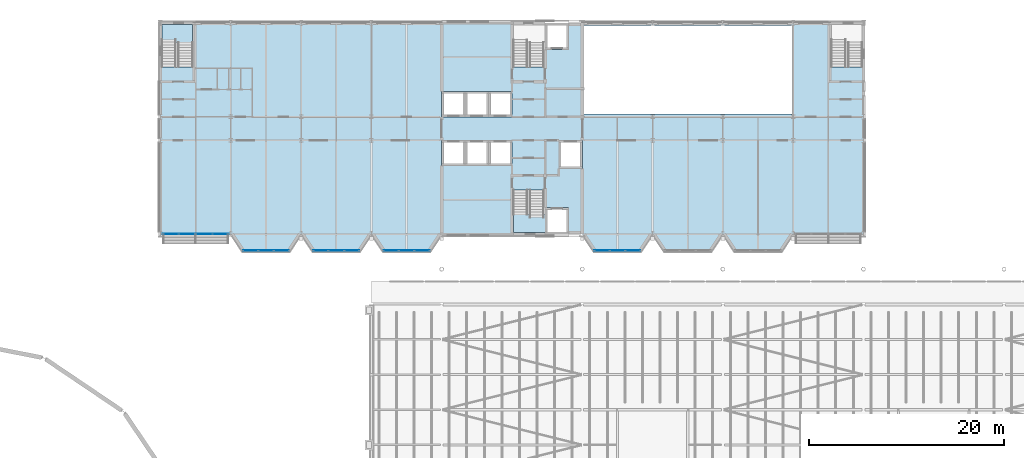
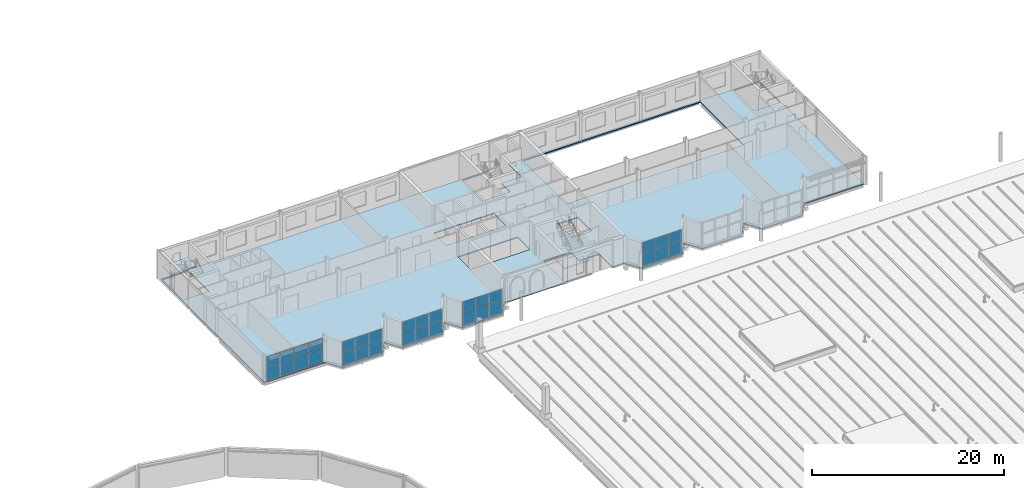
# One storey, part 58 of 120: 32 plates, 3 slabs, 7 elements without a shape of their own.
"""IFC4 building model written with IfcOpenShell, lengths in metres."""

from ifc_helpers import new_model, si_unit, direction, frame, origin, origin_2d, place, context, subcontext, project, spatial, polyline, rectangle, outline, extrude, material, layer, layer_set, type_object, element, aggregate, save


model = new_model("IFC4")

# Units and contexts
model_context = context("Model", 3, precision=1e-05, world=origin(), true_north=direction((0.0, 1.0)))
body_context = subcontext(model_context, "Body", "Model", "MODEL_VIEW")
ifc_project = project(units=[si_unit("LENGTHUNIT", "METRE"), si_unit("AREAUNIT", "SQUARE_METRE"), si_unit("VOLUMEUNIT", "CUBIC_METRE"), si_unit("PLANEANGLEUNIT", "RADIAN"), si_unit("MASSUNIT", "GRAM", prefix="KILO")], contexts=[model_context])

# Site, building, storey
site_placement = place(None, origin())
site = spatial("IfcSite", under=ifc_project, at=site_placement, CompositionType="ELEMENT")
building_placement = place(site_placement, origin())
building = spatial("IfcBuilding", under=site, at=building_placement, Name="Kupolbacken Congress Centre", CompositionType="ELEMENT")
storey_placement = place(building_placement, frame((0.0, 0.0, 21.60009765625)))
storey = spatial("IfcBuildingStorey", under=building, at=storey_placement, Name="L06", CompositionType="ELEMENT", Elevation=21.60009765625)

# Slab
ifc_material_1 = material(Name="Concrete C30/37", Category="concrete")
ifc_layer_1 = layer(ifc_material_1, 0.080078125)
ifc_material_2 = material(Name="Steel S350 profiled deck", Category="steel")
ifc_layer_2 = layer(ifc_material_2, 0.06005859375)
ifc_layer_set_1 = layer_set([ifc_layer_1, ifc_layer_2], Name="Concrete C30/37 / Steel S350 profiled deck")
slab_type_1 = type_object("IfcSlabType", Name="FS1 slab 140", PredefinedType="FLOOR", material=ifc_layer_set_1)
slab_1_placement = place(storey_placement, frame((0.0, 0.0, -0.14013671875)))
element("IfcSlab", 1, at=slab_1_placement, inside=storey, type_object=slab_type_1, Name="S/floor/T/L06/slab/slab", PredefinedType="FLOOR", context=body_context, shape_type="SweptSolid", body=[
    extrude(outline(polyline([(114.000244140625, 120.6005859375), (115.199951171875, 122.39990234375), (116.399658203125, 120.6005859375), (121.2001953125, 120.6005859375), (122.39990234375, 122.39990234375), (123.599609375, 120.6005859375), (128.400390625, 120.6005859375), (129.599609375, 122.3994140625), (129.599609375, 122.400390625), (136.799560546875, 122.400390625), (136.799560546875, 143.99951171875), (106.6005859375, 143.99951171875), (106.6005859375, 141.299560546875), (104.200439453125, 141.299560546875), (104.200439453125, 139.509521484375), (100.974609375, 139.509521484375), (100.974609375, 143.825439453125), (104.199462890625, 143.825439453125), (104.199462890625, 143.99951171875), (64.800537109375, 143.99951171875), (64.800537109375, 122.400390625), (72.00048828125, 122.400390625), (72.00048828125, 122.399169921875), (73.19970703125, 120.6005859375), (78.000244140625, 120.6005859375), (79.199951171875, 122.39990234375), (80.399658203125, 120.6005859375), (85.2001953125, 120.6005859375), (86.39990234375, 122.39990234375), (87.599609375, 120.6005859375), (92.400390625, 120.6005859375), (93.599609375, 122.3994140625), (93.599609375, 122.400390625), (104.199462890625, 122.400390625), (104.199462890625, 122.574462890625), (100.974609375, 122.574462890625), (100.974609375, 126.890380859375), (104.200439453125, 126.890380859375), (104.200439453125, 125.1005859375), (106.6005859375, 125.1005859375), (106.6005859375, 122.400390625), (108.00048828125, 122.400390625), (108.00048828125, 122.399169921875), (109.19970703125, 120.6005859375), (114.000244140625, 120.6005859375)]), holes=[polyline([(136.650390625, 139.534423828125), (133.549560546875, 139.534423828125), (133.549560546875, 143.8505859375), (136.650390625, 143.8505859375), (136.650390625, 139.534423828125)]), polyline([(129.530517578125, 143.75048828125), (129.530517578125, 134.699462890625), (108.199462890625, 134.699462890625), (108.199462890625, 143.75048828125), (129.530517578125, 143.75048828125)]), polyline([(108.00048828125, 129.099609375), (105.599609375, 129.099609375), (105.599609375, 132.00048828125), (108.00048828125, 132.00048828125), (108.00048828125, 129.099609375)]), polyline([(93.599609375, 132.00048828125), (100.800537109375, 132.00048828125), (100.800537109375, 129.3994140625), (93.599609375, 129.3994140625), (93.599609375, 132.00048828125)]), polyline([(93.599609375, 137.00048828125), (100.800537109375, 137.00048828125), (100.800537109375, 134.3994140625), (93.599609375, 134.3994140625), (93.599609375, 137.00048828125)]), polyline([(68.050537109375, 139.534423828125), (64.949462890625, 139.534423828125), (64.949462890625, 143.8505859375), (68.050537109375, 143.8505859375), (68.050537109375, 139.534423828125)])]), origin(), (0.0, 0.0, 1.0), 0.14013671875),
])

# Curtain wall, plates
ifc_material_3 = material(Name="Aluminium mullion-transom frame with glass", Category="aluminium")
curtain_wall_type = type_object("IfcCurtainWallType", Name="CW1 curtain wall 7200x3600", PredefinedType="NOTDEFINED", material=ifc_material_3)
curtain_wall_1_placement = place(storey_placement, origin())
curtain_wall_1 = element("IfcCurtainWall", 2, at=curtain_wall_1_placement, inside=storey, type_object=curtain_wall_type, Name="E/T/S/L06/093/g0", PredefinedType="NOTDEFINED")
ifc_material_4 = material(Name="Glass", Category="glass")
ifc_layer_3 = layer(ifc_material_4, 0.035888671875)
ifc_layer_set_2 = layer_set([ifc_layer_3], Name="Glass")
plate_type = type_object("IfcPlateType", Name="GL2 glass panel 36", PredefinedType="CURTAIN_PANEL", material=ifc_layer_set_2)
plate_1_placement = place(storey_placement, frame((65.824462890625, 122.39990234375, 0.0498046875), z_axis=(0.0, 0.0, 1.0), x_axis=(1.0, 0.0, 0.0)))
plate_1 = element("IfcPlate", 3, at=plate_1_placement, type_object=plate_type, Name="CW1 panel 1.1", PredefinedType="CURTAIN_PANEL", context=body_context, shape_type="SweptSolid", body=[
    extrude(rectangle(XDim=1.649169921875, YDim=0.035888671875, at=origin_2d()), origin(), (0.0, 0.0, 1.0), 1.72509765625),
])
plate_2_placement = place(storey_placement, frame((65.824462890625, 122.39990234375, 1.82470703125), z_axis=(0.0, 0.0, 1.0), x_axis=(1.0, 0.0, 0.0)))
plate_2 = element("IfcPlate", 4, at=plate_2_placement, type_object=plate_type, Name="CW1 panel 1.2", PredefinedType="CURTAIN_PANEL", context=body_context, shape_type="SweptSolid", body=[
    extrude(rectangle(XDim=1.649169921875, YDim=0.035888671875, at=origin_2d()), origin(), (0.0, 0.0, 1.0), 1.284912109375),
])
plate_3_placement = place(storey_placement, frame((67.5361328125, 122.39990234375, 0.0498046875), z_axis=(0.0, 0.0, 1.0), x_axis=(1.0, 0.0, 0.0)))
plate_3 = element("IfcPlate", 5, at=plate_3_placement, type_object=plate_type, Name="CW1 panel 2.1", PredefinedType="CURTAIN_PANEL", context=body_context, shape_type="SweptSolid", body=[
    extrude(rectangle(XDim=1.674072265625, YDim=0.035888671875, at=origin_2d()), origin(), (0.0, 0.0, 1.0), 1.72509765625),
])
plate_4_placement = place(storey_placement, frame((67.5361328125, 122.39990234375, 1.82470703125), z_axis=(0.0, 0.0, 1.0), x_axis=(1.0, 0.0, 0.0)))
plate_4 = element("IfcPlate", 6, at=plate_4_placement, type_object=plate_type, Name="CW1 panel 2.2", PredefinedType="CURTAIN_PANEL", context=body_context, shape_type="SweptSolid", body=[
    extrude(rectangle(XDim=1.674072265625, YDim=0.035888671875, at=origin_2d()), origin(), (0.0, 0.0, 1.0), 1.284912109375),
])
plate_5_placement = place(storey_placement, frame((69.26025390625, 122.39990234375, 0.0498046875), z_axis=(0.0, 0.0, 1.0), x_axis=(1.0, 0.0, 0.0)))
plate_5 = element("IfcPlate", 7, at=plate_5_placement, type_object=plate_type, Name="CW1 panel 3.1", PredefinedType="CURTAIN_PANEL", context=body_context, shape_type="SweptSolid", body=[
    extrude(rectangle(XDim=1.674072265625, YDim=0.035888671875, at=origin_2d()), origin(), (0.0, 0.0, 1.0), 1.72509765625),
])
plate_6_placement = place(storey_placement, frame((69.26025390625, 122.39990234375, 1.82470703125), z_axis=(0.0, 0.0, 1.0), x_axis=(1.0, 0.0, 0.0)))
plate_6 = element("IfcPlate", 8, at=plate_6_placement, type_object=plate_type, Name="CW1 panel 3.2", PredefinedType="CURTAIN_PANEL", context=body_context, shape_type="SweptSolid", body=[
    extrude(rectangle(XDim=1.674072265625, YDim=0.035888671875, at=origin_2d()), origin(), (0.0, 0.0, 1.0), 1.284912109375),
])
plate_7_placement = place(storey_placement, frame((70.971923828125, 122.39990234375, 0.0498046875), z_axis=(0.0, 0.0, 1.0), x_axis=(1.0, 0.0, 0.0)))
plate_7 = element("IfcPlate", 9, at=plate_7_placement, type_object=plate_type, Name="CW1 panel 4.1", PredefinedType="CURTAIN_PANEL", context=body_context, shape_type="SweptSolid", body=[
    extrude(rectangle(XDim=1.649169921875, YDim=0.035888671875, at=origin_2d()), origin(), (0.0, 0.0, 1.0), 1.72509765625),
])
plate_8_placement = place(storey_placement, frame((70.971923828125, 122.39990234375, 1.82470703125), z_axis=(0.0, 0.0, 1.0), x_axis=(1.0, 0.0, 0.0)))
plate_8 = element("IfcPlate", 10, at=plate_8_placement, type_object=plate_type, Name="CW1 panel 4.2", PredefinedType="CURTAIN_PANEL", context=body_context, shape_type="SweptSolid", body=[
    extrude(rectangle(XDim=1.649169921875, YDim=0.035888671875, at=origin_2d()), origin(), (0.0, 0.0, 1.0), 1.284912109375),
])
aggregate(curtain_wall_1, [plate_1, plate_2, plate_3, plate_4, plate_5, plate_6, plate_7, plate_8])

curtain_wall_2_placement = place(storey_placement, origin())
curtain_wall_2 = element("IfcCurtainWall", 11, at=curtain_wall_2_placement, inside=storey, type_object=curtain_wall_type, Name="E/T/cumba/L06/S/002/cw", PredefinedType="NOTDEFINED")
plate_9_placement = place(storey_placement, frame((74.012451171875, 120.699951171875, 0.0498046875), z_axis=(0.0, 0.0, 1.0), x_axis=(1.0, 0.0, 0.0)))
plate_9 = element("IfcPlate", 12, at=plate_9_placement, type_object=plate_type, Name="CW1 panel 1.1", PredefinedType="CURTAIN_PANEL", context=body_context, shape_type="SweptSolid", body=[
    extrude(rectangle(XDim=1.52490234375, YDim=0.035888671875, at=origin_2d()), origin(), (0.0, 0.0, 1.0), 1.72509765625),
])
plate_10_placement = place(storey_placement, frame((74.012451171875, 120.699951171875, 1.82470703125), z_axis=(0.0, 0.0, 1.0), x_axis=(1.0, 0.0, 0.0)))
plate_10 = element("IfcPlate", 13, at=plate_10_placement, type_object=plate_type, Name="CW1 panel 1.2", PredefinedType="CURTAIN_PANEL", context=body_context, shape_type="SweptSolid", body=[
    extrude(rectangle(XDim=1.52490234375, YDim=0.035888671875, at=origin_2d()), origin(), (0.0, 0.0, 1.0), 1.344970703125),
])
plate_11_placement = place(storey_placement, frame((75.60009765625, 120.699951171875, 0.0498046875), z_axis=(0.0, 0.0, 1.0), x_axis=(1.0, 0.0, 0.0)))
plate_11 = element("IfcPlate", 14, at=plate_11_placement, type_object=plate_type, Name="CW1 panel 2.1", PredefinedType="CURTAIN_PANEL", context=body_context, shape_type="SweptSolid", body=[
    extrude(rectangle(XDim=1.550048828125, YDim=0.035888671875, at=origin_2d()), origin(), (0.0, 0.0, 1.0), 1.72509765625),
])
plate_12_placement = place(storey_placement, frame((75.60009765625, 120.699951171875, 1.82470703125), z_axis=(0.0, 0.0, 1.0), x_axis=(1.0, 0.0, 0.0)))
plate_12 = element("IfcPlate", 15, at=plate_12_placement, type_object=plate_type, Name="CW1 panel 2.2", PredefinedType="CURTAIN_PANEL", context=body_context, shape_type="SweptSolid", body=[
    extrude(rectangle(XDim=1.550048828125, YDim=0.035888671875, at=origin_2d()), origin(), (0.0, 0.0, 1.0), 1.344970703125),
])
plate_13_placement = place(storey_placement, frame((77.1875, 120.699951171875, 0.0498046875), z_axis=(0.0, 0.0, 1.0), x_axis=(1.0, 0.0, 0.0)))
plate_13 = element("IfcPlate", 16, at=plate_13_placement, type_object=plate_type, Name="CW1 panel 3.1", PredefinedType="CURTAIN_PANEL", context=body_context, shape_type="SweptSolid", body=[
    extrude(rectangle(XDim=1.52490234375, YDim=0.035888671875, at=origin_2d()), origin(), (0.0, 0.0, 1.0), 1.72509765625),
])
plate_14_placement = place(storey_placement, frame((77.1875, 120.699951171875, 1.82470703125), z_axis=(0.0, 0.0, 1.0), x_axis=(1.0, 0.0, 0.0)))
plate_14 = element("IfcPlate", 17, at=plate_14_placement, type_object=plate_type, Name="CW1 panel 3.2", PredefinedType="CURTAIN_PANEL", context=body_context, shape_type="SweptSolid", body=[
    extrude(rectangle(XDim=1.52490234375, YDim=0.035888671875, at=origin_2d()), origin(), (0.0, 0.0, 1.0), 1.344970703125),
])
aggregate(curtain_wall_2, [plate_9, plate_10, plate_11, plate_12, plate_13, plate_14])

curtain_wall_3_placement = place(storey_placement, origin())
curtain_wall_3 = element("IfcCurtainWall", 18, at=curtain_wall_3_placement, inside=storey, type_object=curtain_wall_type, Name="E/T/cumba/L06/S/006/cw", PredefinedType="NOTDEFINED")
plate_15_placement = place(storey_placement, frame((81.21240234375, 120.699951171875, 0.0498046875), z_axis=(0.0, 0.0, 1.0), x_axis=(1.0, 0.0, 0.0)))
plate_15 = element("IfcPlate", 19, at=plate_15_placement, type_object=plate_type, Name="CW1 panel 1.1", PredefinedType="CURTAIN_PANEL", context=body_context, shape_type="SweptSolid", body=[
    extrude(rectangle(XDim=1.52490234375, YDim=0.035888671875, at=origin_2d()), origin(), (0.0, 0.0, 1.0), 1.72509765625),
])
plate_16_placement = place(storey_placement, frame((81.21240234375, 120.699951171875, 1.82470703125), z_axis=(0.0, 0.0, 1.0), x_axis=(1.0, 0.0, 0.0)))
plate_16 = element("IfcPlate", 20, at=plate_16_placement, type_object=plate_type, Name="CW1 panel 1.2", PredefinedType="CURTAIN_PANEL", context=body_context, shape_type="SweptSolid", body=[
    extrude(rectangle(XDim=1.52490234375, YDim=0.035888671875, at=origin_2d()), origin(), (0.0, 0.0, 1.0), 1.344970703125),
])
plate_17_placement = place(storey_placement, frame((82.800048828125, 120.699951171875, 0.0498046875), z_axis=(0.0, 0.0, 1.0), x_axis=(1.0, 0.0, 0.0)))
plate_17 = element("IfcPlate", 21, at=plate_17_placement, type_object=plate_type, Name="CW1 panel 2.1", PredefinedType="CURTAIN_PANEL", context=body_context, shape_type="SweptSolid", body=[
    extrude(rectangle(XDim=1.550048828125, YDim=0.035888671875, at=origin_2d()), origin(), (0.0, 0.0, 1.0), 1.72509765625),
])
plate_18_placement = place(storey_placement, frame((82.800048828125, 120.699951171875, 1.82470703125), z_axis=(0.0, 0.0, 1.0), x_axis=(1.0, 0.0, 0.0)))
plate_18 = element("IfcPlate", 22, at=plate_18_placement, type_object=plate_type, Name="CW1 panel 2.2", PredefinedType="CURTAIN_PANEL", context=body_context, shape_type="SweptSolid", body=[
    extrude(rectangle(XDim=1.550048828125, YDim=0.035888671875, at=origin_2d()), origin(), (0.0, 0.0, 1.0), 1.344970703125),
])
plate_19_placement = place(storey_placement, frame((84.387451171875, 120.699951171875, 0.0498046875), z_axis=(0.0, 0.0, 1.0), x_axis=(1.0, 0.0, 0.0)))
plate_19 = element("IfcPlate", 23, at=plate_19_placement, type_object=plate_type, Name="CW1 panel 3.1", PredefinedType="CURTAIN_PANEL", context=body_context, shape_type="SweptSolid", body=[
    extrude(rectangle(XDim=1.52490234375, YDim=0.035888671875, at=origin_2d()), origin(), (0.0, 0.0, 1.0), 1.72509765625),
])
plate_20_placement = place(storey_placement, frame((84.387451171875, 120.699951171875, 1.82470703125), z_axis=(0.0, 0.0, 1.0), x_axis=(1.0, 0.0, 0.0)))
plate_20 = element("IfcPlate", 24, at=plate_20_placement, type_object=plate_type, Name="CW1 panel 3.2", PredefinedType="CURTAIN_PANEL", context=body_context, shape_type="SweptSolid", body=[
    extrude(rectangle(XDim=1.52490234375, YDim=0.035888671875, at=origin_2d()), origin(), (0.0, 0.0, 1.0), 1.344970703125),
])
aggregate(curtain_wall_3, [plate_15, plate_16, plate_17, plate_18, plate_19, plate_20])

curtain_wall_4_placement = place(storey_placement, origin())
curtain_wall_4 = element("IfcCurtainWall", 25, at=curtain_wall_4_placement, inside=storey, type_object=curtain_wall_type, Name="E/T/cumba/L06/S/010/cw", PredefinedType="NOTDEFINED")
plate_21_placement = place(storey_placement, frame((88.41259765625, 120.699951171875, 0.0498046875), z_axis=(0.0, 0.0, 1.0), x_axis=(1.0, 0.0, 0.0)))
plate_21 = element("IfcPlate", 26, at=plate_21_placement, type_object=plate_type, Name="CW1 panel 1.1", PredefinedType="CURTAIN_PANEL", context=body_context, shape_type="SweptSolid", body=[
    extrude(rectangle(XDim=1.52490234375, YDim=0.035888671875, at=origin_2d()), origin(), (0.0, 0.0, 1.0), 1.72509765625),
])
plate_22_placement = place(storey_placement, frame((88.41259765625, 120.699951171875, 1.82470703125), z_axis=(0.0, 0.0, 1.0), x_axis=(1.0, 0.0, 0.0)))
plate_22 = element("IfcPlate", 27, at=plate_22_placement, type_object=plate_type, Name="CW1 panel 1.2", PredefinedType="CURTAIN_PANEL", context=body_context, shape_type="SweptSolid", body=[
    extrude(rectangle(XDim=1.52490234375, YDim=0.035888671875, at=origin_2d()), origin(), (0.0, 0.0, 1.0), 1.344970703125),
])
plate_23_placement = place(storey_placement, frame((90.0, 120.699951171875, 0.0498046875), z_axis=(0.0, 0.0, 1.0), x_axis=(1.0, 0.0, 0.0)))
plate_23 = element("IfcPlate", 28, at=plate_23_placement, type_object=plate_type, Name="CW1 panel 2.1", PredefinedType="CURTAIN_PANEL", context=body_context, shape_type="SweptSolid", body=[
    extrude(rectangle(XDim=1.550048828125, YDim=0.035888671875, at=origin_2d()), origin(), (0.0, 0.0, 1.0), 1.72509765625),
])
plate_24_placement = place(storey_placement, frame((90.0, 120.699951171875, 1.82470703125), z_axis=(0.0, 0.0, 1.0), x_axis=(1.0, 0.0, 0.0)))
plate_24 = element("IfcPlate", 29, at=plate_24_placement, type_object=plate_type, Name="CW1 panel 2.2", PredefinedType="CURTAIN_PANEL", context=body_context, shape_type="SweptSolid", body=[
    extrude(rectangle(XDim=1.550048828125, YDim=0.035888671875, at=origin_2d()), origin(), (0.0, 0.0, 1.0), 1.344970703125),
])
plate_25_placement = place(storey_placement, frame((91.58740234375, 120.699951171875, 0.0498046875), z_axis=(0.0, 0.0, 1.0), x_axis=(1.0, 0.0, 0.0)))
plate_25 = element("IfcPlate", 30, at=plate_25_placement, type_object=plate_type, Name="CW1 panel 3.1", PredefinedType="CURTAIN_PANEL", context=body_context, shape_type="SweptSolid", body=[
    extrude(rectangle(XDim=1.52490234375, YDim=0.035888671875, at=origin_2d()), origin(), (0.0, 0.0, 1.0), 1.72509765625),
])
plate_26_placement = place(storey_placement, frame((91.58740234375, 120.699951171875, 1.82470703125), z_axis=(0.0, 0.0, 1.0), x_axis=(1.0, 0.0, 0.0)))
plate_26 = element("IfcPlate", 31, at=plate_26_placement, type_object=plate_type, Name="CW1 panel 3.2", PredefinedType="CURTAIN_PANEL", context=body_context, shape_type="SweptSolid", body=[
    extrude(rectangle(XDim=1.52490234375, YDim=0.035888671875, at=origin_2d()), origin(), (0.0, 0.0, 1.0), 1.344970703125),
])
aggregate(curtain_wall_4, [plate_21, plate_22, plate_23, plate_24, plate_25, plate_26])

curtain_wall_5_placement = place(storey_placement, origin())
curtain_wall_5 = element("IfcCurtainWall", 32, at=curtain_wall_5_placement, inside=storey, type_object=curtain_wall_type, Name="E/T/cumba/L06/S/014/cw", PredefinedType="NOTDEFINED")
plate_27_placement = place(storey_placement, frame((110.012451171875, 120.699951171875, 0.0498046875), z_axis=(0.0, 0.0, 1.0), x_axis=(1.0, 0.0, 0.0)))
plate_27 = element("IfcPlate", 33, at=plate_27_placement, type_object=plate_type, Name="CW1 panel 1.1", PredefinedType="CURTAIN_PANEL", context=body_context, shape_type="SweptSolid", body=[
    extrude(rectangle(XDim=1.52490234375, YDim=0.035888671875, at=origin_2d()), origin(), (0.0, 0.0, 1.0), 1.72509765625),
])
plate_28_placement = place(storey_placement, frame((110.012451171875, 120.699951171875, 1.82470703125), z_axis=(0.0, 0.0, 1.0), x_axis=(1.0, 0.0, 0.0)))
plate_28 = element("IfcPlate", 34, at=plate_28_placement, type_object=plate_type, Name="CW1 panel 1.2", PredefinedType="CURTAIN_PANEL", context=body_context, shape_type="SweptSolid", body=[
    extrude(rectangle(XDim=1.52490234375, YDim=0.035888671875, at=origin_2d()), origin(), (0.0, 0.0, 1.0), 1.344970703125),
])
plate_29_placement = place(storey_placement, frame((111.60009765625, 120.699951171875, 0.0498046875), z_axis=(0.0, 0.0, 1.0), x_axis=(1.0, 0.0, 0.0)))
plate_29 = element("IfcPlate", 35, at=plate_29_placement, type_object=plate_type, Name="CW1 panel 2.1", PredefinedType="CURTAIN_PANEL", context=body_context, shape_type="SweptSolid", body=[
    extrude(rectangle(XDim=1.550048828125, YDim=0.035888671875, at=origin_2d()), origin(), (0.0, 0.0, 1.0), 1.72509765625),
])
plate_30_placement = place(storey_placement, frame((111.60009765625, 120.699951171875, 1.82470703125), z_axis=(0.0, 0.0, 1.0), x_axis=(1.0, 0.0, 0.0)))
plate_30 = element("IfcPlate", 36, at=plate_30_placement, type_object=plate_type, Name="CW1 panel 2.2", PredefinedType="CURTAIN_PANEL", context=body_context, shape_type="SweptSolid", body=[
    extrude(rectangle(XDim=1.550048828125, YDim=0.035888671875, at=origin_2d()), origin(), (0.0, 0.0, 1.0), 1.344970703125),
])
plate_31_placement = place(storey_placement, frame((113.1875, 120.699951171875, 0.0498046875), z_axis=(0.0, 0.0, 1.0), x_axis=(1.0, 0.0, 0.0)))
plate_31 = element("IfcPlate", 37, at=plate_31_placement, type_object=plate_type, Name="CW1 panel 3.1", PredefinedType="CURTAIN_PANEL", context=body_context, shape_type="SweptSolid", body=[
    extrude(rectangle(XDim=1.52490234375, YDim=0.035888671875, at=origin_2d()), origin(), (0.0, 0.0, 1.0), 1.72509765625),
])
plate_32_placement = place(storey_placement, frame((113.1875, 120.699951171875, 1.82470703125), z_axis=(0.0, 0.0, 1.0), x_axis=(1.0, 0.0, 0.0)))
plate_32 = element("IfcPlate", 38, at=plate_32_placement, type_object=plate_type, Name="CW1 panel 3.2", PredefinedType="CURTAIN_PANEL", context=body_context, shape_type="SweptSolid", body=[
    extrude(rectangle(XDim=1.52490234375, YDim=0.035888671875, at=origin_2d()), origin(), (0.0, 0.0, 1.0), 1.344970703125),
])
aggregate(curtain_wall_5, [plate_27, plate_28, plate_29, plate_30, plate_31, plate_32])

# Stair, slab
ifc_material_5 = material(Name="Steel S355", Category="steel")
stair_type = type_object("IfcStairType", Name="ST2 stair 1500", PredefinedType="TWO_STRAIGHT_RUN_STAIR", material=ifc_material_5)
stair_1_placement = place(storey_placement, origin())
stair_1 = element("IfcStair", 39, at=stair_1_placement, inside=storey, type_object=stair_type, Name="C/stair/TS1/L06", PredefinedType="NOTDEFINED")
ifc_material_6 = material(Name="Concrete C30/37 precast", Category="concrete")
ifc_layer_4 = layer(ifc_material_6, 0.175048828125)
ifc_layer_set_3 = layer_set([ifc_layer_4], Name="Concrete C30/37 precast")
slab_type_2 = type_object("IfcSlabType", Name="SL1 slab 175", PredefinedType="LANDING", material=ifc_layer_set_3)
slab_2_placement = place(storey_placement, frame((0.0, 0.0, 1.539306640625)))
slab_2 = element("IfcSlab", 40, at=slab_2_placement, type_object=slab_type_2, Name="TS1 landing 1", PredefinedType="LANDING", context=body_context, shape_type="SweptSolid", body=[
    extrude(outline(polyline([(100.955078125, 122.554931640625), (104.219970703125, 122.554931640625), (104.219970703125, 124.3798828125), (100.955078125, 124.3798828125), (100.955078125, 122.554931640625)])), origin(), (0.0, 0.0, 1.0), 0.1748046875),
])
aggregate(stair_1, [slab_2])

stair_2_placement = place(storey_placement, origin())
stair_2 = element("IfcStair", 41, at=stair_2_placement, inside=storey, type_object=stair_type, Name="C/stair/TS3/L06", PredefinedType="NOTDEFINED")
slab_3_placement = place(storey_placement, frame((0.0, 0.0, 1.539306640625)))
slab_3 = element("IfcSlab", 42, at=slab_3_placement, type_object=slab_type_2, Name="TS3 landing 1", PredefinedType="LANDING", context=body_context, shape_type="SweptSolid", body=[
    extrude(outline(polyline([(64.929931640625, 142.044921875), (68.070068359375, 142.044921875), (68.070068359375, 143.8701171875), (64.929931640625, 143.8701171875), (64.929931640625, 142.044921875)])), origin(), (0.0, 0.0, 1.0), 0.1748046875),
])
aggregate(stair_2, [slab_3])

save(model, "model.ifc")
